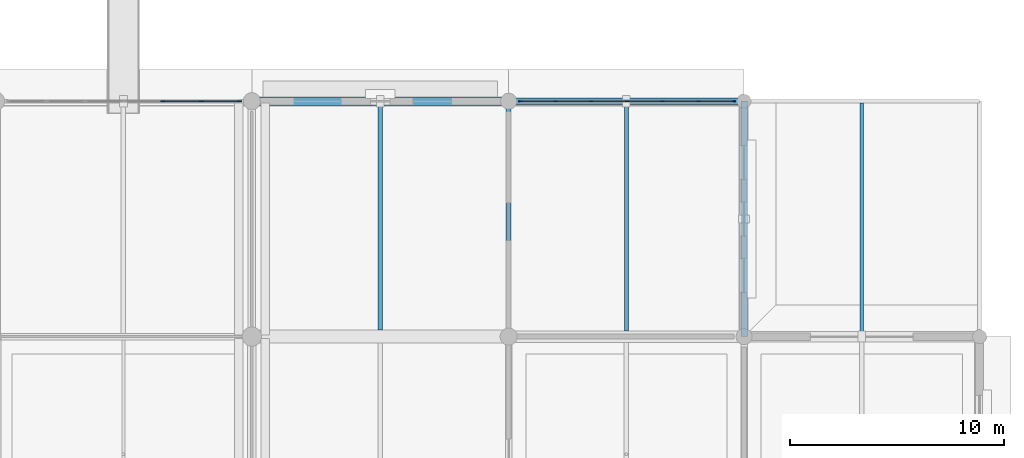
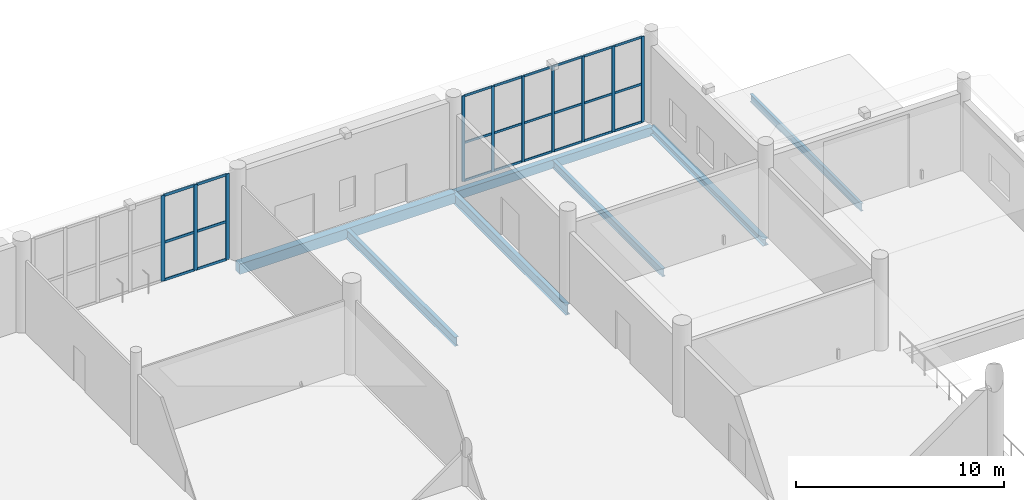
# One storey, part 41 of 120: 34 members, 7 beams, 2 elements without a shape of their own.
"""IFC4 building model written with IfcOpenShell, lengths in metres."""

from ifc_helpers import new_model, si_unit, direction, frame, origin, origin_2d, place, context, subcontext, project, spatial, rectangle, hollow_rectangle, i_section, extrude, material, material_profile, profile_set, type_object, element, aggregate, save


model = new_model("IFC4")

# Units and contexts
model_context = context("Model", 3, precision=1e-05, world=origin(), true_north=direction((0.0, 1.0)))
body_context = subcontext(model_context, "Body", "Model", "MODEL_VIEW")
ifc_project = project(units=[si_unit("LENGTHUNIT", "METRE"), si_unit("AREAUNIT", "SQUARE_METRE"), si_unit("VOLUMEUNIT", "CUBIC_METRE"), si_unit("PLANEANGLEUNIT", "RADIAN"), si_unit("MASSUNIT", "GRAM", prefix="KILO")], contexts=[model_context])

# Site, building, storey
site_placement = place(None, origin())
site = spatial("IfcSite", under=ifc_project, at=site_placement, CompositionType="ELEMENT")
building_placement = place(site_placement, origin())
building = spatial("IfcBuilding", under=site, at=building_placement, Name="Luwafu Chhajja Arena", CompositionType="ELEMENT")
storey_placement = place(building_placement, origin())
storey = spatial("IfcBuildingStorey", under=building, at=storey_placement, Name="L00", CompositionType="ELEMENT", Elevation=0.0)

# Curtain wall, members
ifc_material_1 = material(Name="Anodised bronze aluminium", Category="aluminium")
curtain_wall_type_1 = type_object("IfcCurtainWallType", Name="Bowl Concourse Chord Curtain Wall", PredefinedType="USERDEFINED", material=ifc_material_1)
curtain_wall_1_placement = place(storey_placement, origin())
curtain_wall_1 = element("IfcCurtainWall", 1, at=curtain_wall_1_placement, inside=storey, type_object=curtain_wall_type_1, Name="L00 Curtain Wall CWG-L00-H15_12", ObjectType="CURTAIN WALL", PredefinedType="USERDEFINED")
ifc_material_profile_1 = material_profile(ifc_material_1, rectangle(XDim=0.06005859375, YDim=0.159912109375, at=origin_2d()), Name="CWM 60x160")
ifc_profile_set_1 = profile_set([ifc_material_profile_1], Name="Anodised bronze aluminium")
member_type_1 = type_object("IfcMemberType", Name="Bronze Curtain Wall Mullion 60x160", PredefinedType="MULLION", material=ifc_profile_set_1)
member_1_placement = place(storey_placement, frame((176.544921875, 132.0, 0.030029296875), z_axis=(0.0, 0.0, 1.0), x_axis=(0.0, 1.0, 0.0)))
member_1 = element("IfcMember", 2, at=member_1_placement, type_object=member_type_1, Name="CW-01 mullion 1", PredefinedType="MULLION", context=body_context, shape_type="SweptSolid", body=[
    extrude(rectangle(XDim=0.06005859375, YDim=0.159912109375, at=origin_2d()), origin(), (0.0, 0.0, 1.0), 5.034912109375),
])
member_2_placement = place(storey_placement, frame((178.18505859375, 132.0, 0.030029296875), z_axis=(0.0, 0.0, 1.0), x_axis=(0.0, 1.0, 0.0)))
member_2 = element("IfcMember", 3, at=member_2_placement, type_object=member_type_1, Name="CW-01 mullion 2", PredefinedType="MULLION", context=body_context, shape_type="SweptSolid", body=[
    extrude(rectangle(XDim=0.06005859375, YDim=0.159912109375, at=origin_2d()), origin(), (0.0, 0.0, 1.0), 5.034912109375),
])
member_3_placement = place(storey_placement, frame((179.85498046875, 132.0, 0.030029296875), z_axis=(0.0, 0.0, 1.0), x_axis=(0.0, 1.0, 0.0)))
member_3 = element("IfcMember", 4, at=member_3_placement, type_object=member_type_1, Name="CW-01 mullion 3", PredefinedType="MULLION", context=body_context, shape_type="SweptSolid", body=[
    extrude(rectangle(XDim=0.06005859375, YDim=0.159912109375, at=origin_2d()), origin(), (0.0, 0.0, 1.0), 5.034912109375),
])
member_4_placement = place(storey_placement, frame((181.52490234375, 132.0, 0.030029296875), z_axis=(0.0, 0.0, 1.0), x_axis=(0.0, 1.0, 0.0)))
member_4 = element("IfcMember", 5, at=member_4_placement, type_object=member_type_1, Name="CW-01 mullion 4", PredefinedType="MULLION", context=body_context, shape_type="SweptSolid", body=[
    extrude(rectangle(XDim=0.06005859375, YDim=0.159912109375, at=origin_2d()), origin(), (0.0, 0.0, 1.0), 5.034912109375),
])
member_5_placement = place(storey_placement, frame((183.195068359375, 132.0, 0.030029296875), z_axis=(0.0, 0.0, 1.0), x_axis=(0.0, 1.0, 0.0)))
member_5 = element("IfcMember", 6, at=member_5_placement, type_object=member_type_1, Name="CW-01 mullion 5", PredefinedType="MULLION", context=body_context, shape_type="SweptSolid", body=[
    extrude(rectangle(XDim=0.06005859375, YDim=0.159912109375, at=origin_2d()), origin(), (0.0, 0.0, 1.0), 5.034912109375),
])
member_6_placement = place(storey_placement, frame((184.864990234375, 132.0, 0.030029296875), z_axis=(0.0, 0.0, 1.0), x_axis=(0.0, 1.0, 0.0)))
member_6 = element("IfcMember", 7, at=member_6_placement, type_object=member_type_1, Name="CW-01 mullion 6", PredefinedType="MULLION", context=body_context, shape_type="SweptSolid", body=[
    extrude(rectangle(XDim=0.06005859375, YDim=0.159912109375, at=origin_2d()), origin(), (0.0, 0.0, 1.0), 5.034912109375),
])
member_7_placement = place(storey_placement, frame((186.5048828125, 132.0, 0.030029296875), z_axis=(0.0, 0.0, 1.0), x_axis=(0.0, 1.0, 0.0)))
member_7 = element("IfcMember", 8, at=member_7_placement, type_object=member_type_1, Name="CW-01 mullion 7", PredefinedType="MULLION", context=body_context, shape_type="SweptSolid", body=[
    extrude(rectangle(XDim=0.06005859375, YDim=0.159912109375, at=origin_2d()), origin(), (0.0, 0.0, 1.0), 5.034912109375),
])

curtain_wall_type_2 = type_object("IfcCurtainWallType", Name="Foyer Luwafu Street Curtain Wall", PredefinedType="USERDEFINED", material=ifc_material_1)
curtain_wall_2_placement = place(storey_placement, origin())
curtain_wall_2 = element("IfcCurtainWall", 9, at=curtain_wall_2_placement, inside=storey, type_object=curtain_wall_type_2, Name="L00 Curtain Wall CWG-L00-H13_12", ObjectType="CURTAIN WALL", PredefinedType="USERDEFINED")
ifc_material_profile_2 = material_profile(ifc_material_1, rectangle(XDim=0.06494140625, YDim=0.199951171875, at=origin_2d()), Name="CWM 65x200")
ifc_profile_set_2 = profile_set([ifc_material_profile_2], Name="Anodised bronze aluminium")
member_type_2 = type_object("IfcMemberType", Name="Bronze Curtain Wall Mullion 65x200", PredefinedType="MULLION", material=ifc_profile_set_2)
member_8_placement = place(storey_placement, frame((159.836669921875, 132.0, 0.030029296875), z_axis=(0.0, 0.0, 1.0), x_axis=(0.0, 1.0, 0.0)))
member_8 = element("IfcMember", 10, at=member_8_placement, type_object=member_type_2, Name="CW-05 mullion 5", PredefinedType="MULLION", context=body_context, shape_type="SweptSolid", body=[
    extrude(rectangle(XDim=0.06494140625, YDim=0.199951171875, at=origin_2d()), origin(), (0.0, 0.0, 1.0), 5.034912109375),
])
member_9_placement = place(storey_placement, frame((161.6484375, 132.0, 0.030029296875), z_axis=(0.0, 0.0, 1.0), x_axis=(0.0, 1.0, 0.0)))
member_9 = element("IfcMember", 11, at=member_9_placement, type_object=member_type_2, Name="CW-05 mullion 6", PredefinedType="MULLION", context=body_context, shape_type="SweptSolid", body=[
    extrude(rectangle(XDim=0.06494140625, YDim=0.199951171875, at=origin_2d()), origin(), (0.0, 0.0, 1.0), 5.034912109375),
])
member_10_placement = place(storey_placement, frame((163.427490234375, 132.0, 0.030029296875), z_axis=(0.0, 0.0, 1.0), x_axis=(0.0, 1.0, 0.0)))
member_10 = element("IfcMember", 12, at=member_10_placement, type_object=member_type_2, Name="CW-05 mullion 7", PredefinedType="MULLION", context=body_context, shape_type="SweptSolid", body=[
    extrude(rectangle(XDim=0.06494140625, YDim=0.199951171875, at=origin_2d()), origin(), (0.0, 0.0, 1.0), 5.034912109375),
])

# Member
ifc_material_profile_3 = material_profile(ifc_material_1, rectangle(XDim=0.06005859375, YDim=0.1298828125, at=origin_2d()), Name="CWT 60x130")
ifc_profile_set_3 = profile_set([ifc_material_profile_3], Name="Anodised bronze aluminium")
member_type_3 = type_object("IfcMemberType", Name="Bronze Curtain Wall Transom 60x130", PredefinedType="USERDEFINED", material=ifc_profile_set_3)
member_11_placement = place(storey_placement, frame((176.574951171875, 132.0, 0.06005859375), z_axis=(1.0, 0.0, 0.0), x_axis=(0.0, 1.0, 0.0)))
member_11 = element("IfcMember", 13, at=member_11_placement, type_object=member_type_3, Name="CW-01 transom 1.1", ObjectType="TRANSOM", PredefinedType="USERDEFINED", context=body_context, shape_type="SweptSolid", body=[
    extrude(rectangle(XDim=0.06005859375, YDim=0.1298828125, at=origin_2d()), origin(), (0.0, 0.0, 1.0), 1.580078125),
])

member_12_placement = place(storey_placement, frame((176.574951171875, 132.0, 2.279296875), z_axis=(1.0, 0.0, 0.0), x_axis=(0.0, 1.0, 0.0)))
member_12 = element("IfcMember", 14, at=member_12_placement, type_object=member_type_3, Name="CW-01 transom 1.2", ObjectType="TRANSOM", PredefinedType="USERDEFINED", context=body_context, shape_type="SweptSolid", body=[
    extrude(rectangle(XDim=0.06005859375, YDim=0.1298828125, at=origin_2d()), origin(), (0.0, 0.0, 1.0), 1.580078125),
])

member_13_placement = place(storey_placement, frame((176.574951171875, 132.0, 5.034912109375), z_axis=(1.0, 0.0, 0.0), x_axis=(0.0, 1.0, 0.0)))
member_13 = element("IfcMember", 15, at=member_13_placement, type_object=member_type_3, Name="CW-01 transom 1.3", ObjectType="TRANSOM", PredefinedType="USERDEFINED", context=body_context, shape_type="SweptSolid", body=[
    extrude(rectangle(XDim=0.06005859375, YDim=0.1298828125, at=origin_2d()), origin(), (0.0, 0.0, 1.0), 1.580078125),
])

member_14_placement = place(storey_placement, frame((178.215087890625, 132.0, 0.06005859375), z_axis=(1.0, 0.0, 0.0), x_axis=(0.0, 1.0, 0.0)))
member_14 = element("IfcMember", 16, at=member_14_placement, type_object=member_type_3, Name="CW-01 transom 2.1", ObjectType="TRANSOM", PredefinedType="USERDEFINED", context=body_context, shape_type="SweptSolid", body=[
    extrude(rectangle(XDim=0.06005859375, YDim=0.1298828125, at=origin_2d()), origin(), (0.0, 0.0, 1.0), 1.60986328125),
])

member_15_placement = place(storey_placement, frame((178.215087890625, 132.0, 2.279296875), z_axis=(1.0, 0.0, 0.0), x_axis=(0.0, 1.0, 0.0)))
member_15 = element("IfcMember", 17, at=member_15_placement, type_object=member_type_3, Name="CW-01 transom 2.2", ObjectType="TRANSOM", PredefinedType="USERDEFINED", context=body_context, shape_type="SweptSolid", body=[
    extrude(rectangle(XDim=0.06005859375, YDim=0.1298828125, at=origin_2d()), origin(), (0.0, 0.0, 1.0), 1.60986328125),
])

member_16_placement = place(storey_placement, frame((178.215087890625, 132.0, 5.034912109375), z_axis=(1.0, 0.0, 0.0), x_axis=(0.0, 1.0, 0.0)))
member_16 = element("IfcMember", 18, at=member_16_placement, type_object=member_type_3, Name="CW-01 transom 2.3", ObjectType="TRANSOM", PredefinedType="USERDEFINED", context=body_context, shape_type="SweptSolid", body=[
    extrude(rectangle(XDim=0.06005859375, YDim=0.1298828125, at=origin_2d()), origin(), (0.0, 0.0, 1.0), 1.60986328125),
])

member_17_placement = place(storey_placement, frame((179.885009765625, 132.0, 0.06005859375), z_axis=(1.0, 0.0, 0.0), x_axis=(0.0, 1.0, 0.0)))
member_17 = element("IfcMember", 19, at=member_17_placement, type_object=member_type_3, Name="CW-01 transom 3.1", ObjectType="TRANSOM", PredefinedType="USERDEFINED", context=body_context, shape_type="SweptSolid", body=[
    extrude(rectangle(XDim=0.06005859375, YDim=0.1298828125, at=origin_2d()), origin(), (0.0, 0.0, 1.0), 1.610107421875),
])

member_18_placement = place(storey_placement, frame((179.885009765625, 132.0, 2.279296875), z_axis=(1.0, 0.0, 0.0), x_axis=(0.0, 1.0, 0.0)))
member_18 = element("IfcMember", 20, at=member_18_placement, type_object=member_type_3, Name="CW-01 transom 3.2", ObjectType="TRANSOM", PredefinedType="USERDEFINED", context=body_context, shape_type="SweptSolid", body=[
    extrude(rectangle(XDim=0.06005859375, YDim=0.1298828125, at=origin_2d()), origin(), (0.0, 0.0, 1.0), 1.610107421875),
])

member_19_placement = place(storey_placement, frame((179.885009765625, 132.0, 5.034912109375), z_axis=(1.0, 0.0, 0.0), x_axis=(0.0, 1.0, 0.0)))
member_19 = element("IfcMember", 21, at=member_19_placement, type_object=member_type_3, Name="CW-01 transom 3.3", ObjectType="TRANSOM", PredefinedType="USERDEFINED", context=body_context, shape_type="SweptSolid", body=[
    extrude(rectangle(XDim=0.06005859375, YDim=0.1298828125, at=origin_2d()), origin(), (0.0, 0.0, 1.0), 1.610107421875),
])

member_20_placement = place(storey_placement, frame((181.554931640625, 132.0, 0.06005859375), z_axis=(1.0, 0.0, 0.0), x_axis=(0.0, 1.0, 0.0)))
member_20 = element("IfcMember", 22, at=member_20_placement, type_object=member_type_3, Name="CW-01 transom 4.1", ObjectType="TRANSOM", PredefinedType="USERDEFINED", context=body_context, shape_type="SweptSolid", body=[
    extrude(rectangle(XDim=0.06005859375, YDim=0.1298828125, at=origin_2d()), origin(), (0.0, 0.0, 1.0), 1.610107421875),
])

member_21_placement = place(storey_placement, frame((181.554931640625, 132.0, 2.279296875), z_axis=(1.0, 0.0, 0.0), x_axis=(0.0, 1.0, 0.0)))
member_21 = element("IfcMember", 23, at=member_21_placement, type_object=member_type_3, Name="CW-01 transom 4.2", ObjectType="TRANSOM", PredefinedType="USERDEFINED", context=body_context, shape_type="SweptSolid", body=[
    extrude(rectangle(XDim=0.06005859375, YDim=0.1298828125, at=origin_2d()), origin(), (0.0, 0.0, 1.0), 1.610107421875),
])

member_22_placement = place(storey_placement, frame((181.554931640625, 132.0, 5.034912109375), z_axis=(1.0, 0.0, 0.0), x_axis=(0.0, 1.0, 0.0)))
member_22 = element("IfcMember", 24, at=member_22_placement, type_object=member_type_3, Name="CW-01 transom 4.3", ObjectType="TRANSOM", PredefinedType="USERDEFINED", context=body_context, shape_type="SweptSolid", body=[
    extrude(rectangle(XDim=0.06005859375, YDim=0.1298828125, at=origin_2d()), origin(), (0.0, 0.0, 1.0), 1.610107421875),
])

member_23_placement = place(storey_placement, frame((183.22509765625, 132.0, 0.06005859375), z_axis=(1.0, 0.0, 0.0), x_axis=(0.0, 1.0, 0.0)))
member_23 = element("IfcMember", 25, at=member_23_placement, type_object=member_type_3, Name="CW-01 transom 5.1", ObjectType="TRANSOM", PredefinedType="USERDEFINED", context=body_context, shape_type="SweptSolid", body=[
    extrude(rectangle(XDim=0.06005859375, YDim=0.1298828125, at=origin_2d()), origin(), (0.0, 0.0, 1.0), 1.60986328125),
])

member_24_placement = place(storey_placement, frame((183.22509765625, 132.0, 2.279296875), z_axis=(1.0, 0.0, 0.0), x_axis=(0.0, 1.0, 0.0)))
member_24 = element("IfcMember", 26, at=member_24_placement, type_object=member_type_3, Name="CW-01 transom 5.2", ObjectType="TRANSOM", PredefinedType="USERDEFINED", context=body_context, shape_type="SweptSolid", body=[
    extrude(rectangle(XDim=0.06005859375, YDim=0.1298828125, at=origin_2d()), origin(), (0.0, 0.0, 1.0), 1.60986328125),
])

member_25_placement = place(storey_placement, frame((183.22509765625, 132.0, 5.034912109375), z_axis=(1.0, 0.0, 0.0), x_axis=(0.0, 1.0, 0.0)))
member_25 = element("IfcMember", 27, at=member_25_placement, type_object=member_type_3, Name="CW-01 transom 5.3", ObjectType="TRANSOM", PredefinedType="USERDEFINED", context=body_context, shape_type="SweptSolid", body=[
    extrude(rectangle(XDim=0.06005859375, YDim=0.1298828125, at=origin_2d()), origin(), (0.0, 0.0, 1.0), 1.60986328125),
])

member_26_placement = place(storey_placement, frame((184.89501953125, 132.0, 0.06005859375), z_axis=(1.0, 0.0, 0.0), x_axis=(0.0, 1.0, 0.0)))
member_26 = element("IfcMember", 28, at=member_26_placement, type_object=member_type_3, Name="CW-01 transom 6.1", ObjectType="TRANSOM", PredefinedType="USERDEFINED", context=body_context, shape_type="SweptSolid", body=[
    extrude(rectangle(XDim=0.06005859375, YDim=0.1298828125, at=origin_2d()), origin(), (0.0, 0.0, 1.0), 1.580078125),
])

member_27_placement = place(storey_placement, frame((184.89501953125, 132.0, 2.279296875), z_axis=(1.0, 0.0, 0.0), x_axis=(0.0, 1.0, 0.0)))
member_27 = element("IfcMember", 29, at=member_27_placement, type_object=member_type_3, Name="CW-01 transom 6.2", ObjectType="TRANSOM", PredefinedType="USERDEFINED", context=body_context, shape_type="SweptSolid", body=[
    extrude(rectangle(XDim=0.06005859375, YDim=0.1298828125, at=origin_2d()), origin(), (0.0, 0.0, 1.0), 1.580078125),
])

member_28_placement = place(storey_placement, frame((184.89501953125, 132.0, 5.034912109375), z_axis=(1.0, 0.0, 0.0), x_axis=(0.0, 1.0, 0.0)))
member_28 = element("IfcMember", 30, at=member_28_placement, type_object=member_type_3, Name="CW-01 transom 6.3", ObjectType="TRANSOM", PredefinedType="USERDEFINED", context=body_context, shape_type="SweptSolid", body=[
    extrude(rectangle(XDim=0.06005859375, YDim=0.1298828125, at=origin_2d()), origin(), (0.0, 0.0, 1.0), 1.580078125),
])

aggregate(curtain_wall_1, [member_1, member_2, member_3, member_4, member_5, member_6, member_7, member_11, member_12, member_13, member_14, member_15, member_16, member_17, member_18, member_19, member_20, member_21, member_22, member_23, member_24, member_25, member_26, member_27, member_28])

ifc_material_profile_4 = material_profile(ifc_material_1, rectangle(XDim=0.06494140625, YDim=0.14990234375, at=origin_2d()), Name="CWT 65x150")
ifc_profile_set_4 = profile_set([ifc_material_profile_4], Name="Anodised bronze aluminium")
member_type_4 = type_object("IfcMemberType", Name="Bronze Curtain Wall Transom 65x150", PredefinedType="USERDEFINED", material=ifc_profile_set_4)
member_29_placement = place(storey_placement, frame((159.869140625, 132.0, 0.0625), z_axis=(1.0, 0.0, 0.0), x_axis=(0.0, 1.0, 0.0)))
member_29 = element("IfcMember", 31, at=member_29_placement, type_object=member_type_4, Name="CW-05 transom 5.1", ObjectType="TRANSOM", PredefinedType="USERDEFINED", context=body_context, shape_type="SweptSolid", body=[
    extrude(rectangle(XDim=0.06494140625, YDim=0.14990234375, at=origin_2d()), origin(), (0.0, 0.0, 1.0), 1.74658203125),
])

member_30_placement = place(storey_placement, frame((159.869140625, 132.0, 2.279296875), z_axis=(1.0, 0.0, 0.0), x_axis=(0.0, 1.0, 0.0)))
member_30 = element("IfcMember", 32, at=member_30_placement, type_object=member_type_4, Name="CW-05 transom 5.2", ObjectType="TRANSOM", PredefinedType="USERDEFINED", context=body_context, shape_type="SweptSolid", body=[
    extrude(rectangle(XDim=0.06494140625, YDim=0.14990234375, at=origin_2d()), origin(), (0.0, 0.0, 1.0), 1.74658203125),
])

member_31_placement = place(storey_placement, frame((159.869140625, 132.0, 5.032470703125), z_axis=(1.0, 0.0, 0.0), x_axis=(0.0, 1.0, 0.0)))
member_31 = element("IfcMember", 33, at=member_31_placement, type_object=member_type_4, Name="CW-05 transom 5.3", ObjectType="TRANSOM", PredefinedType="USERDEFINED", context=body_context, shape_type="SweptSolid", body=[
    extrude(rectangle(XDim=0.06494140625, YDim=0.14990234375, at=origin_2d()), origin(), (0.0, 0.0, 1.0), 1.74658203125),
])

member_32_placement = place(storey_placement, frame((161.680908203125, 132.0, 0.0625), z_axis=(1.0, 0.0, 0.0), x_axis=(0.0, 1.0, 0.0)))
member_32 = element("IfcMember", 34, at=member_32_placement, type_object=member_type_4, Name="CW-05 transom 6.1", ObjectType="TRANSOM", PredefinedType="USERDEFINED", context=body_context, shape_type="SweptSolid", body=[
    extrude(rectangle(XDim=0.06494140625, YDim=0.14990234375, at=origin_2d()), origin(), (0.0, 0.0, 1.0), 1.714111328125),
])

member_33_placement = place(storey_placement, frame((161.680908203125, 132.0, 2.279296875), z_axis=(1.0, 0.0, 0.0), x_axis=(0.0, 1.0, 0.0)))
member_33 = element("IfcMember", 35, at=member_33_placement, type_object=member_type_4, Name="CW-05 transom 6.2", ObjectType="TRANSOM", PredefinedType="USERDEFINED", context=body_context, shape_type="SweptSolid", body=[
    extrude(rectangle(XDim=0.06494140625, YDim=0.14990234375, at=origin_2d()), origin(), (0.0, 0.0, 1.0), 1.714111328125),
])

member_34_placement = place(storey_placement, frame((161.680908203125, 132.0, 5.032470703125), z_axis=(1.0, 0.0, 0.0), x_axis=(0.0, 1.0, 0.0)))
member_34 = element("IfcMember", 36, at=member_34_placement, type_object=member_type_4, Name="CW-05 transom 6.3", ObjectType="TRANSOM", PredefinedType="USERDEFINED", context=body_context, shape_type="SweptSolid", body=[
    extrude(rectangle(XDim=0.06494140625, YDim=0.14990234375, at=origin_2d()), origin(), (0.0, 0.0, 1.0), 1.714111328125),
])

aggregate(curtain_wall_2, [member_8, member_9, member_10, member_29, member_30, member_31, member_32, member_33, member_34])

# Beams
ifc_material_2 = material(Name="Steel S355", Category="steel")
ifc_material_profile_5 = material_profile(ifc_material_2, i_section(OverallWidth=0.15283203125, OverallDepth=0.45458984375, WebThickness=0.008056640625, FlangeThickness=0.01318359375, at=origin_2d()), Name="UB 457x152x60")
ifc_profile_set_5 = profile_set([ifc_material_profile_5], Name="Steel S355")
beam_type_1 = type_object("IfcBeamType", Name="Floor Joist UB 457x152x60", PredefinedType="JOIST", material=ifc_profile_set_5)
beam_1_placement = place(storey_placement, frame((192.5, 121.25, -0.577392578125), z_axis=(0.0, 1.0, 0.0), x_axis=(-1.0, 0.0, 0.0)))
element("IfcBeam", 37, at=beam_1_placement, inside=storey, type_object=beam_type_1, Name="L00 Secondary Joist 17-18/M", PredefinedType="JOIST", context=body_context, shape_type="SweptSolid", body=[
    extrude(i_section(OverallWidth=0.15283203125, OverallDepth=0.45458984375, WebThickness=0.008056640625, FlangeThickness=0.01318359375, at=origin_2d()), origin(), (0.0, 0.0, 1.0), 10.6669921875),
])
ifc_material_profile_6 = material_profile(ifc_material_2, i_section(OverallWidth=0.19140625, OverallDepth=0.4599609375, WebThickness=0.010009765625, FlangeThickness=0.01611328125, at=origin_2d()), Name="UB 457x191x82")
ifc_profile_set_6 = profile_set([ifc_material_profile_6], Name="Steel S355")
beam_type_2 = type_object("IfcBeamType", Name="Floor Joist UB 457x191x82", PredefinedType="JOIST", material=ifc_profile_set_6)
beam_2_placement = place(storey_placement, frame((181.5, 121.27490234375, -0.580078125), z_axis=(0.0, 1.0, 0.0), x_axis=(-1.0, 0.0, 0.0)))
element("IfcBeam", 38, at=beam_2_placement, inside=storey, type_object=beam_type_2, Name="L00 Secondary Joist 16-17/M", PredefinedType="JOIST", context=body_context, shape_type="SweptSolid", body=[
    extrude(i_section(OverallWidth=0.19140625, OverallDepth=0.4599609375, WebThickness=0.010009765625, FlangeThickness=0.01611328125, at=origin_2d()), origin(), (0.0, 0.0, 1.0), 10.5751953125),
])
ifc_material_profile_7 = material_profile(ifc_material_2, i_section(OverallWidth=0.209228515625, OverallDepth=0.533203125, WebThickness=0.010009765625, FlangeThickness=0.015625, at=origin_2d()), Name="UB 533x210x92")
ifc_profile_set_7 = profile_set([ifc_material_profile_7], Name="Steel S355")
beam_type_3 = type_object("IfcBeamType", Name="Floor Joist UB 533x210x92", PredefinedType="JOIST", material=ifc_profile_set_7)
beam_3_placement = place(storey_placement, frame((170.0, 121.300048828125, -0.616455078125), z_axis=(0.0, 1.0, 0.0), x_axis=(-1.0, 0.0, 0.0)))
element("IfcBeam", 39, at=beam_3_placement, inside=storey, type_object=beam_type_3, Name="L00 Secondary Joist 15-16/M", PredefinedType="JOIST", context=body_context, shape_type="SweptSolid", body=[
    extrude(i_section(OverallWidth=0.209228515625, OverallDepth=0.533203125, WebThickness=0.010009765625, FlangeThickness=0.015625, at=origin_2d()), origin(), (0.0, 0.0, 1.0), 10.5),
])
ifc_material_profile_8 = material_profile(ifc_material_2, hollow_rectangle(XDim=0.300048828125, YDim=0.5, WallThickness=0.02001953125, at=origin_2d()), Name="RHS 500x300x20")
ifc_profile_set_8 = profile_set([ifc_material_profile_8], Name="Steel S355")
beam_type_4 = type_object("IfcBeamType", Name="Pleated Drum Spandrel Beam RHS 500x300", PredefinedType="SPANDREL", material=ifc_profile_set_8)
beam_4_placement = place(storey_placement, frame((176.0, 132.0, -0.60009765625), z_axis=(1.0, 0.0, 0.0), x_axis=(0.0, 1.0, 0.0)))
element("IfcBeam", 40, at=beam_4_placement, inside=storey, type_object=beam_type_4, Name="L00 Grid Beam 16-17/N", PredefinedType="SPANDREL", context=body_context, shape_type="SweptSolid", body=[
    extrude(hollow_rectangle(XDim=0.300048828125, YDim=0.5, WallThickness=0.02001953125, at=origin_2d()), origin(), (0.0, 0.0, 1.0), 11.0),
])
ifc_material_3 = material(Name="Concrete C35/45", Category="concrete")
ifc_material_profile_9 = material_profile(ifc_material_3, rectangle(XDim=0.39990234375, YDim=0.60009765625, at=origin_2d()), Name="RC 400x600")
ifc_profile_set_9 = profile_set([ifc_material_profile_9], Name="Concrete C35/45")
beam_type_5 = type_object("IfcBeamType", Name="Podium Perimeter Spandrel RC 400x600", PredefinedType="SPANDREL", material=ifc_profile_set_9)
beam_5_placement = place(storey_placement, frame((164.0, 132.0, -0.64990234375), z_axis=(1.0, 0.0, 0.0), x_axis=(0.0, 1.0, 0.0)))
element("IfcBeam", 41, at=beam_5_placement, inside=storey, type_object=beam_type_5, Name="L00 Grid Beam 15-16/N", PredefinedType="SPANDREL", context=body_context, shape_type="SweptSolid", body=[
    extrude(rectangle(XDim=0.39990234375, YDim=0.60009765625, at=origin_2d()), origin(), (0.0, 0.0, 1.0), 12.0),
])
ifc_material_profile_10 = material_profile(ifc_material_2, i_section(OverallWidth=0.22900390625, OverallDepth=0.6123046875, WebThickness=0.011962890625, FlangeThickness=0.01953125, at=origin_2d()), Name="UB 610x229x125")
ifc_profile_set_10 = profile_set([ifc_material_profile_10], Name="Steel S355")
beam_type_6 = type_object("IfcBeamType", Name="Steel Mezzanine Girder UB 610x229x125", PredefinedType="BEAM", material=ifc_profile_set_10)
beam_6_placement = place(storey_placement, frame((176.0, 121.0, -0.656005859375), z_axis=(0.0, 1.0, 0.0), x_axis=(-1.0, 0.0, 0.0)))
element("IfcBeam", 42, at=beam_6_placement, inside=storey, type_object=beam_type_6, Name="L00 Grid Beam 16/M-N", PredefinedType="BEAM", context=body_context, shape_type="SweptSolid", body=[
    extrude(i_section(OverallWidth=0.22900390625, OverallDepth=0.6123046875, WebThickness=0.011962890625, FlangeThickness=0.01953125, at=origin_2d()), origin(), (0.0, 0.0, 1.0), 11.0),
])
ifc_material_profile_11 = material_profile(ifc_material_2, i_section(OverallWidth=0.300048828125, OverallDepth=0.39990234375, WebThickness=0.013427734375, FlangeThickness=0.02392578125, at=origin_2d()), Name="HEB 400")
ifc_profile_set_11 = profile_set([ifc_material_profile_11], Name="Steel S355")
beam_type_7 = type_object("IfcBeamType", Name="Steel Rigging Grid Beam HEB 400", PredefinedType="BEAM", material=ifc_profile_set_11)
beam_7_placement = place(storey_placement, frame((187.0, 121.0, -0.550048828125), z_axis=(0.0, 1.0, 0.0), x_axis=(-1.0, 0.0, 0.0)))
element("IfcBeam", 43, at=beam_7_placement, inside=storey, type_object=beam_type_7, Name="L00 Grid Beam 17/M-N", PredefinedType="BEAM", context=body_context, shape_type="SweptSolid", body=[
    extrude(i_section(OverallWidth=0.300048828125, OverallDepth=0.39990234375, WebThickness=0.013427734375, FlangeThickness=0.02392578125, at=origin_2d()), origin(), (0.0, 0.0, 1.0), 11.0),
])

save(model, "model.ifc")
